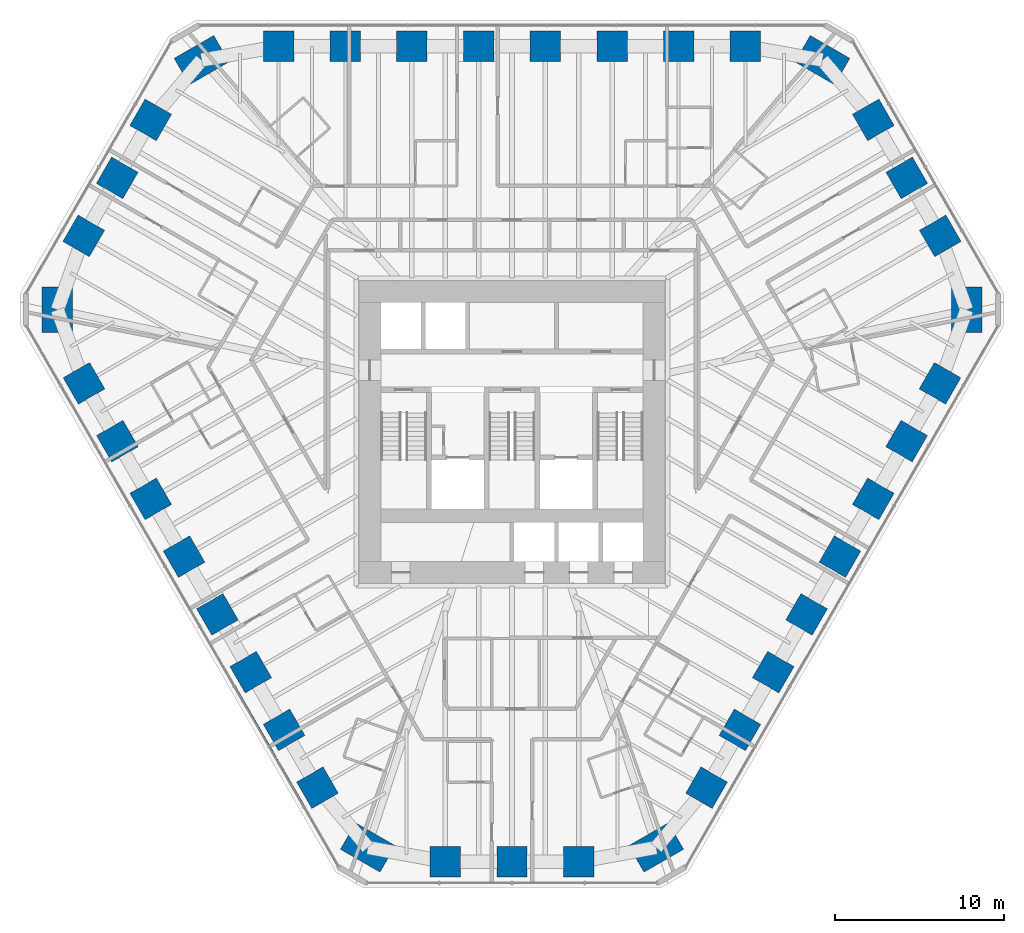
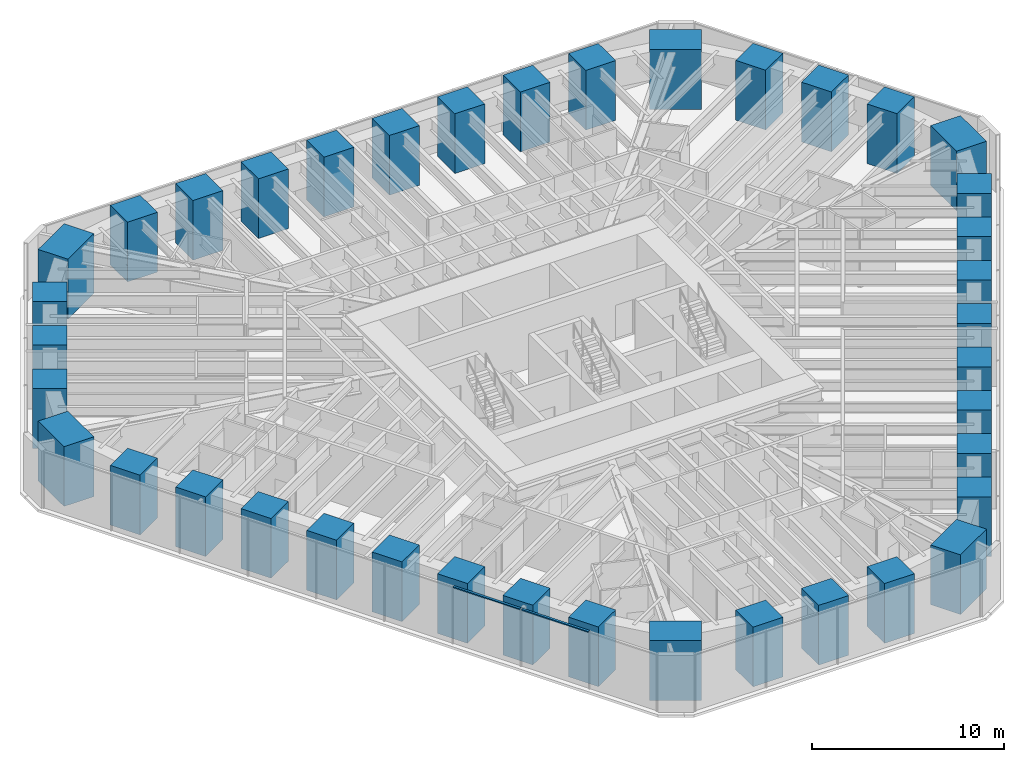
# One storey, part 1 of 17: 39 columns, 2 members, 1 element without a shape of its own.
"""IFC4 building model written with IfcOpenShell, lengths in metres."""

from ifc_helpers import new_model, si_unit, direction, frame, origin, origin_2d, place, context, subcontext, project, spatial, rectangle, extrude, material, material_profile, profile_set, type_object, element, aggregate, save


model = new_model("IFC4")

# Units and contexts
model_context = context("Model", 3, precision=1e-05, world=origin(), true_north=direction((0.0, 1.0)))
body_context = subcontext(model_context, "Body", "Model", "MODEL_VIEW")
ifc_project = project(units=[si_unit("LENGTHUNIT", "METRE"), si_unit("AREAUNIT", "SQUARE_METRE"), si_unit("VOLUMEUNIT", "CUBIC_METRE"), si_unit("PLANEANGLEUNIT", "RADIAN"), si_unit("MASSUNIT", "GRAM", prefix="KILO")], contexts=[model_context])

# Site, building, storey
site_placement = place(None, origin())
site = spatial("IfcSite", under=ifc_project, at=site_placement, CompositionType="ELEMENT")
building_placement = place(site_placement, origin())
building = spatial("IfcBuilding", under=site, at=building_placement, Name="Sandreach Pilgrim Tower", CompositionType="ELEMENT")
storey_placement = place(building_placement, frame((0.0, 0.0, 104.39990234375)))
storey = spatial("IfcBuildingStorey", under=building, at=storey_placement, Name="L25", CompositionType="ELEMENT", Elevation=104.39990234375)

# Columns
ifc_material_1 = material(Name="Concrete 10000 psi", Category="concrete")
ifc_material_profile_1 = material_profile(ifc_material_1, rectangle(XDim=1.800048828125, YDim=1.800048828125, at=origin_2d()), Name="RC1800X1800")
ifc_profile_set_1 = profile_set([ifc_material_profile_1], Name="Concrete 10000 psi")
column_type_1 = type_object("IfcColumnType", Name="Tube column RC1800X1800", PredefinedType="COLUMN", material=ifc_profile_set_1)
for number, where, z_axis, x_axis, name in (
    (1, (-13.789794921875, 21.23388671875, 0.0), (0.0, 0.0, 1.0), (0.0, 1.0, 0.0), "COL L25 T01"),
    (2, (-9.849853515625, 21.23388671875, 0.0), (0.0, 0.0, 1.0), (0.0, 1.0, 0.0), "COL L25 T02"),
    (3, (-5.909912109375, 21.23388671875, 0.0), (0.0, 0.0, 1.0), (0.0, 1.0, 0.0), "COL L25 T03"),
    (4, (-1.969970703125, 21.23388671875, 0.0), (0.0, 0.0, 1.0), (0.0, 1.0, 0.0), "COL L25 T04"),
    (5, (1.969970703125, 21.23388671875, 0.0), (0.0, 0.0, 1.0), (0.0, 1.0, 0.0), "COL L25 T05"),
    (6, (5.909912109375, 21.23388671875, 0.0), (0.0, 0.0, 1.0), (0.0, 1.0, 0.0), "COL L25 T06"),
    (7, (9.849853515625, 21.23388671875, 0.0), (0.0, 0.0, 1.0), (0.0, 1.0, 0.0), "COL L25 T07"),
    (8, (13.789794921875, 21.23388671875, 0.0), (0.0, 0.0, 1.0), (0.0, 1.0, 0.0), "COL L25 T08"),
    (9, (21.346435546875, 16.891357421875, 0.0), (0.0, 0.0, 1.0), (0.866025403784, 0.5, 0.0), "COL L25 T10"),
    (10, (23.323974609375, 13.466064453125, 0.0), (0.0, 0.0, 1.0), (0.866025403784, 0.5, 0.0), "COL L25 T11"),
    (11, (25.301513671875, 10.040771484375, 0.0), (0.0, 0.0, 1.0), (0.866025403784, 0.5, 0.0), "COL L25 T12"),
    (12, (25.283935546875, 1.325439453125, 0.0), (0.0, 0.0, 1.0), (0.866025403784, -0.5, 0.0), "COL L25 T14"),
    (13, (23.31396484375, -2.086669921875, 0.0), (0.0, 0.0, 1.0), (0.866025403784, -0.5, 0.0), "COL L25 T15"),
    (14, (21.343994140625, -5.498779296875, 0.0), (0.0, 0.0, 1.0), (0.866025403784, -0.5, 0.0), "COL L25 T16"),
    (15, (19.3740234375, -8.910888671875, 0.0), (0.0, 0.0, 1.0), (0.866025403784, -0.5, 0.0), "COL L25 T17"),
    (16, (17.404052734375, -12.322998046875, 0.0), (0.0, 0.0, 1.0), (0.866025403784, -0.5, 0.0), "COL L25 T18"),
    (17, (15.43408203125, -15.735107421875, 0.0), (0.0, 0.0, 1.0), (0.866025403784, -0.5, 0.0), "COL L25 T19"),
    (18, (13.464111328125, -19.147216796875, 0.0), (0.0, 0.0, 1.0), (0.866025403784, -0.5, 0.0), "COL L25 T20"),
    (19, (11.494140625, -22.559326171875, 0.0), (0.0, 0.0, 1.0), (0.866025403784, -0.5, 0.0), "COL L25 T21"),
    (20, (3.955322265625, -26.93212890625, 0.0), (0.0, 0.0, 1.0), (0.0, -1.0, 0.0), "COL L25 T23"),
    (21, (0.0, -26.93212890625, 0.0), (0.0, 0.0, 1.0), (0.0, -1.0, 0.0), "COL L25 T24"),
    (22, (-3.955322265625, -26.93212890625, 0.0), (0.0, 0.0, 1.0), (0.0, -1.0, 0.0), "COL L25 T25"),
    (23, (-11.494140625, -22.559326171875, 0.0), (0.0, 0.0, 1.0), (-0.866025403784, -0.5, 0.0), "COL L25 T27"),
    (24, (-13.464111328125, -19.147216796875, 0.0), (0.0, 0.0, 1.0), (-0.866025403784, -0.5, 0.0), "COL L25 T28"),
    (25, (-15.43408203125, -15.735107421875, 0.0), (0.0, 0.0, 1.0), (-0.866025403784, -0.5, 0.0), "COL L25 T29"),
    (26, (-17.404052734375, -12.322998046875, 0.0), (0.0, 0.0, 1.0), (-0.866025403784, -0.5, 0.0), "COL L25 T30"),
    (27, (-19.3740234375, -8.910888671875, 0.0), (0.0, 0.0, 1.0), (-0.866025403784, -0.5, 0.0), "COL L25 T31"),
    (28, (-21.343994140625, -5.498779296875, 0.0), (0.0, 0.0, 1.0), (-0.866025403784, -0.5, 0.0), "COL L25 T32"),
    (29, (-23.31396484375, -2.086669921875, 0.0), (0.0, 0.0, 1.0), (-0.866025403784, -0.5, 0.0), "COL L25 T33"),
    (30, (-25.283935546875, 1.325439453125, 0.0), (0.0, 0.0, 1.0), (-0.866025403784, -0.5, 0.0), "COL L25 T34"),
    (31, (-25.301513671875, 10.040771484375, 0.0), (0.0, 0.0, 1.0), (-0.866025403784, 0.5, 0.0), "COL L25 T36"),
    (32, (-23.323974609375, 13.466064453125, 0.0), (0.0, 0.0, 1.0), (-0.866025403784, 0.5, 0.0), "COL L25 T37"),
    (33, (-21.346435546875, 16.891357421875, 0.0), (0.0, 0.0, 1.0), (-0.866025403784, 0.5, 0.0), "COL L25 T38"),
):
    element("IfcColumn", number, at=place(storey_placement, frame(where, z_axis=z_axis, x_axis=x_axis)), inside=storey, type_object=column_type_1, Name=name, PredefinedType="COLUMN", context=body_context, shape_type="SweptSolid", body=[
        extrude(rectangle(XDim=1.800048828125, YDim=1.800048828125, at=origin_2d()), origin(), (0.0, 0.0, 1.0), 3.800048828125),
    ])
ifc_material_2 = material(Name="Concrete 10000 psi", Category="concrete")
ifc_material_profile_2 = material_profile(ifc_material_2, rectangle(XDim=1.800048828125, YDim=2.699951171875, at=origin_2d()), Name="RC1800X2700")
ifc_profile_set_2 = profile_set([ifc_material_profile_2], Name="Concrete 10000 psi")
column_type_2 = type_object("IfcColumnType", Name="Tube corner pier RC1800X2700", PredefinedType="COLUMN", material=ifc_profile_set_2)
for number, where, z_axis, x_axis, name in (
    (34, (18.33935546875, 20.423828125, 0.0), (0.0, 0.0, 1.0), (0.5, 0.866025403784, 0.0), "COL L25 T09"),
    (35, (26.857177734375, 5.67041015625, 0.0), (0.0, 0.0, 1.0), (1.0, 0.0, 0.0), "COL L25 T13"),
    (36, (8.517822265625, -26.09423828125, 0.0), (0.0, 0.0, 1.0), (0.5, -0.866025403784, 0.0), "COL L25 T22"),
    (37, (-8.517822265625, -26.09423828125, 0.0), (0.0, 0.0, 1.0), (-0.5, -0.866025403784, 0.0), "COL L25 T26"),
    (38, (-26.857177734375, 5.67041015625, 0.0), (0.0, 0.0, 1.0), (-1.0, 0.0, 0.0), "COL L25 T35"),
    (39, (-18.33935546875, 20.423828125, 0.0), (0.0, 0.0, 1.0), (-0.5, 0.866025403784, 0.0), "COL L25 T39"),
):
    element("IfcColumn", number, at=place(storey_placement, frame(where, z_axis=z_axis, x_axis=x_axis)), inside=storey, type_object=column_type_2, Name=name, PredefinedType="COLUMN", context=body_context, shape_type="SweptSolid", body=[
        extrude(rectangle(XDim=1.800048828125, YDim=2.699951171875, at=origin_2d()), origin(), (0.0, 0.0, 1.0), 3.800048828125),
    ])

# Curtain wall, members
ifc_material_3 = material(Name="Aluminium framed curtain wall", Category="aluminium")
curtain_wall_type = type_object("IfcCurtainWallType", Name="Hotel tower curtain wall", PredefinedType="NOTDEFINED", material=ifc_material_3)
curtain_wall_placement = place(storey_placement, origin())
curtain_wall = element("IfcCurtainWall", 40, at=curtain_wall_placement, inside=storey, type_object=curtain_wall_type, Name="CW-2 L25 SW", PredefinedType="NOTDEFINED")
ifc_material_4 = material(Name="Aluminium extrusion", Category="aluminium")
ifc_material_profile_3 = material_profile(ifc_material_4, rectangle(XDim=0.139892578125, YDim=0.070068359375, at=origin_2d()), Name="CW-2T 140X70")
ifc_profile_set_3 = profile_set([ifc_material_profile_3], Name="Aluminium extrusion")
member_type = type_object("IfcMemberType", Name="CW-2 transom", PredefinedType="USERDEFINED", material=ifc_profile_set_3)
member_1_placement = place(storey_placement, frame((-12.309326171875, -23.667236328125, 3.60498046875), z_axis=(-0.500023973715, 0.866011562111, 0.0), x_axis=(-0.866011562111, -0.500023973715, 0.0)))
member_1 = element("IfcMember", 41, at=member_1_placement, type_object=member_type, Name="CW-2 head transom 2", ObjectType="TRANSOM", PredefinedType="USERDEFINED", context=body_context, shape_type="SweptSolid", body=[
    extrude(rectangle(XDim=0.139892578125, YDim=0.070068359375, at=origin_2d()), origin(), (0.0, 0.0, 1.0), 4.041748046875),
])
member_2_placement = place(storey_placement, frame((-14.36279296875, -20.110595703125, 3.60498046875), z_axis=(-0.499997818338, 0.866026663364, 0.0), x_axis=(-0.866026663364, -0.499997818338, 0.0)))
member_2 = element("IfcMember", 42, at=member_2_placement, type_object=member_type, Name="CW-2 head transom 3", ObjectType="TRANSOM", PredefinedType="USERDEFINED", context=body_context, shape_type="SweptSolid", body=[
    extrude(rectangle(XDim=0.139892578125, YDim=0.070068359375, at=origin_2d()), origin(), (0.0, 0.0, 1.0), 4.0419921875),
])
aggregate(curtain_wall, [member_1, member_2])

save(model, "model.ifc")
